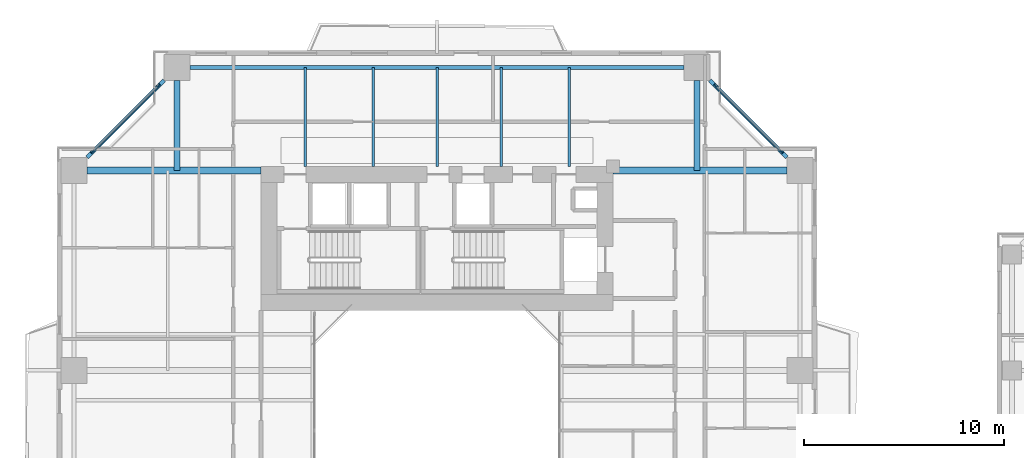
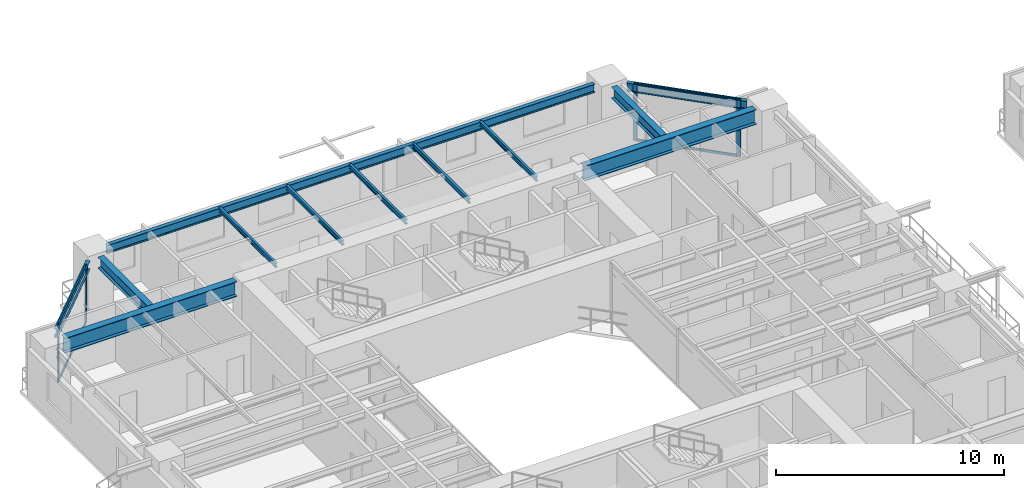
# One storey, part 9 of 24: 12 beams, 8 members, 2 elements without a shape of their own.
"""IFC4 building model written with IfcOpenShell, lengths in metres."""

from ifc_helpers import new_model, si_unit, direction, frame, origin, origin_2d, place, context, subcontext, project, spatial, rectangle, i_section, extrude, source, transform, mapped, material, layer, layer_set, material_profile, profile_set, type_object, element, aggregate, save


model = new_model("IFC4")

# Units and contexts
model_context = context("Model", 3, precision=1e-05, world=origin(), true_north=direction((0.0, 1.0)))
body_context = subcontext(model_context, "Body", "Model", "MODEL_VIEW")
ifc_project = project(units=[si_unit("LENGTHUNIT", "METRE"), si_unit("AREAUNIT", "SQUARE_METRE"), si_unit("VOLUMEUNIT", "CUBIC_METRE"), si_unit("PLANEANGLEUNIT", "RADIAN"), si_unit("MASSUNIT", "GRAM", prefix="KILO"), si_unit("THERMODYNAMICTEMPERATUREUNIT", "KELVIN"), si_unit("POWERUNIT", "WATT")], contexts=[model_context])

# Site, building, storey
site_placement = place(None, origin())
site = spatial("IfcSite", under=ifc_project, at=site_placement, CompositionType="ELEMENT")
building_placement = place(site_placement, origin())
building = spatial("IfcBuilding", under=site, at=building_placement, Name="Qiaomeng Ring Towers", CompositionType="ELEMENT")
storey_placement = place(building_placement, frame((0.0, 0.0, 56.75)))
storey = spatial("IfcBuildingStorey", under=building, at=storey_placement, Name="L15", CompositionType="ELEMENT", Elevation=56.75)

# Beams
ifc_material_1 = material(Name="Steel Q355B", Category="steel")
ifc_material_profile_1 = material_profile(ifc_material_1, i_section(OverallWidth=0.199951171875, OverallDepth=0.449951171875, WebThickness=0.009033203125, FlangeThickness=0.013916015625, FilletRadius=0.01806640625, at=origin_2d()), Name="HN 450x200x9x14")
ifc_profile_set_1 = profile_set([ifc_material_profile_1], Name="Steel Q355B")
beam_type_1 = type_object("IfcBeamType", Name="STR-BM-HN450", PredefinedType="SPANDREL", material=ifc_profile_set_1)
shared_shape_1 = source(origin(), body_context, "Body", "SweptSolid", [
    extrude(i_section(OverallWidth=0.199951171875, OverallDepth=0.449951171875, WebThickness=0.009033203125, FlangeThickness=0.013916015625, FilletRadius=0.01806640625, at=origin_2d()), origin(), (0.0, 0.0, 1.0), 24.7021484375),
])
beam_placement = place(storey_placement, frame((31.35107421875, 41.14990234375, 2.844970703125), z_axis=(-1.0, 0.0, 0.0), x_axis=(0.0, -1.0, 0.0)))
element("IfcBeam", 1, at=beam_placement, inside=storey, type_object=beam_type_1, Name="L15 beam STR-SP-L15-T1-N2-N1", PredefinedType="SPANDREL", context=body_context, shape_type="MappedRepresentation", body=[
    mapped(shared_shape_1, transform((0.0, 0.0, 0.0), x_axis=(1.0, 0.0, 0.0), y_axis=(0.0, 1.0, 0.0), z_axis=(0.0, 0.0, 1.0), scale=1.0)),
])
shared_shape_2 = source(origin(), body_context, "Body", "SweptSolid", [
    extrude(i_section(OverallWidth=0.199951171875, OverallDepth=0.449951171875, WebThickness=0.009033203125, FlangeThickness=0.013916015625, FilletRadius=0.01806640625, at=origin_2d()), origin(), (0.0, 0.0, 1.0), 5.446533203125),
])
for number, where, z_axis, x_axis, name in (
    (2, (36.500732421875, 36.6494140625, 2.844970703125), (-0.707106781187, 0.707106781187, 0.0), (-0.707106781187, -0.707106781187, 0.0), "L15 beam STR-SP-L15-T1-E4-N2"),
    (3, (5.3505859375, 40.500732421875, 2.844970703125), (-0.707106781187, -0.707106781187, 0.0), (0.707106781187, -0.707106781187, 0.0), "L15 beam STR-SP-L15-T1-N1-W4"),
):
    element("IfcBeam", number, at=place(storey_placement, frame(where, z_axis=z_axis, x_axis=x_axis)), inside=storey, type_object=beam_type_1, Name=name, PredefinedType="SPANDREL", context=body_context, shape_type="MappedRepresentation", body=[
        mapped(shared_shape_2, transform((0.0, 0.0, 0.0), x_axis=(1.0, 0.0, 0.0), y_axis=(0.0, 1.0, 0.0), z_axis=(0.0, 0.0, 1.0), scale=1.0)),
    ])
ifc_material_2 = material(Name="Steel Q390GJC", Category="steel")
ifc_material_profile_2 = material_profile(ifc_material_2, i_section(OverallWidth=0.35009765625, OverallDepth=0.800048828125, WebThickness=0.01611328125, FlangeThickness=0.028076171875, at=origin_2d()), Name="WH 800x350x16x28")
ifc_profile_set_2 = profile_set([ifc_material_profile_2], Name="Steel Q390GJC")
beam_type_2 = type_object("IfcBeamType", Name="STR-BM-WH800", PredefinedType="BEAM", material=ifc_profile_set_2)
shared_shape_3 = source(origin(), body_context, "Body", "SweptSolid", [
    extrude(i_section(OverallWidth=0.35009765625, OverallDepth=0.800048828125, WebThickness=0.01611328125, FlangeThickness=0.028076171875, at=origin_2d()), origin(), (0.0, 0.0, 1.0), 8.700927734375),
])
for number, where, z_axis, x_axis, name in (
    (4, (1.4990234375, 36.0, 2.669921875), (1.0, 0.0, 0.0), (0.0, 1.0, 0.0), "L15 beam STR-BM-L15-T1-RAD-W4"),
    (5, (27.800048828125, 36.0, 2.669921875), (1.0, 0.0, 0.0), (0.0, 1.0, 0.0), "L15 beam STR-BM-L15-T1-RAD-E4"),
):
    element("IfcBeam", number, at=place(storey_placement, frame(where, z_axis=z_axis, x_axis=x_axis)), inside=storey, type_object=beam_type_2, Name=name, PredefinedType="BEAM", context=body_context, shape_type="MappedRepresentation", body=[
        mapped(shared_shape_3, transform((0.0, 0.0, 0.0), x_axis=(1.0, 0.0, 0.0), y_axis=(0.0, 1.0, 0.0), z_axis=(0.0, 0.0, 1.0), scale=1.0)),
    ])
ifc_material_profile_3 = material_profile(ifc_material_1, i_section(OverallWidth=0.300048828125, OverallDepth=0.587890625, WebThickness=0.011962890625, FlangeThickness=0.02001953125, FilletRadius=0.028076171875, at=origin_2d()), Name="HM 588x300x12x20")
ifc_profile_set_3 = profile_set([ifc_material_profile_3], Name="Steel Q355B")
beam_type_3 = type_object("IfcBeamType", Name="STR-BM-HM588", PredefinedType="BEAM", material=ifc_profile_set_3)
shared_shape_4 = source(origin(), body_context, "Body", "SweptSolid", [
    extrude(i_section(OverallWidth=0.300048828125, OverallDepth=0.587890625, WebThickness=0.011962890625, FlangeThickness=0.02001953125, FilletRadius=0.028076171875, at=origin_2d()), origin(), (0.0, 0.0, 1.0), 4.5009765625),
])
for number, where, z_axis, x_axis, name in (
    (6, (6.0, 40.5009765625, 2.77587890625), (0.0, -1.0, 0.0), (1.0, 0.0, 0.0), "L15 beam STR-BM-L15-T1-RAD-N1"),
    (7, (32.0, 40.5009765625, 2.77587890625), (0.0, -1.0, 0.0), (1.0, 0.0, 0.0), "L15 beam STR-BM-L15-T1-RAD-N2"),
):
    element("IfcBeam", number, at=place(storey_placement, frame(where, z_axis=z_axis, x_axis=x_axis)), inside=storey, type_object=beam_type_3, Name=name, PredefinedType="BEAM", context=body_context, shape_type="MappedRepresentation", body=[
        mapped(shared_shape_4, transform((0.0, 0.0, 0.0), x_axis=(1.0, 0.0, 0.0), y_axis=(0.0, 1.0, 0.0), z_axis=(0.0, 0.0, 1.0), scale=1.0)),
    ])
ifc_material_profile_4 = material_profile(ifc_material_1, i_section(OverallWidth=0.125, OverallDepth=0.25, WebThickness=0.006103515625, FlangeThickness=0.009033203125, FilletRadius=0.011962890625, at=origin_2d()), Name="HN 250x125x6x9")
ifc_profile_set_4 = profile_set([ifc_material_profile_4], Name="Steel Q355B")
beam_type_4 = type_object("IfcBeamType", Name="STR-BM-HN250", PredefinedType="JOIST", material=ifc_profile_set_4)
shared_shape_5 = source(origin(), body_context, "Body", "SweptSolid", [
    extrude(i_section(OverallWidth=0.125, OverallDepth=0.25, WebThickness=0.006103515625, FlangeThickness=0.009033203125, FilletRadius=0.011962890625, at=origin_2d()), origin(), (0.0, 0.0, 1.0), 4.949951171875),
])
for number, where, z_axis, x_axis, name in (
    (8, (12.39990234375, 36.199951171875, 2.945068359375), (0.0, 1.0, 0.0), (-1.0, 0.0, 0.0), "L15 beam STR-JST-L15-T1N-1"),
    (9, (15.800048828125, 36.199951171875, 2.945068359375), (0.0, 1.0, 0.0), (-1.0, 0.0, 0.0), "L15 beam STR-JST-L15-T1N-2"),
    (10, (19.0, 36.199951171875, 2.945068359375), (0.0, 1.0, 0.0), (-1.0, 0.0, 0.0), "L15 beam STR-JST-L15-T1N-3"),
    (11, (22.199951171875, 36.199951171875, 2.945068359375), (0.0, 1.0, 0.0), (-1.0, 0.0, 0.0), "L15 beam STR-JST-L15-T1N-4"),
    (12, (25.60009765625, 36.199951171875, 2.945068359375), (0.0, 1.0, 0.0), (-1.0, 0.0, 0.0), "L15 beam STR-JST-L15-T1N-5"),
):
    element("IfcBeam", number, at=place(storey_placement, frame(where, z_axis=z_axis, x_axis=x_axis)), inside=storey, type_object=beam_type_4, Name=name, PredefinedType="JOIST", context=body_context, shape_type="MappedRepresentation", body=[
        mapped(shared_shape_5, transform((0.0, 0.0, 0.0), x_axis=(1.0, 0.0, 0.0), y_axis=(0.0, 1.0, 0.0), z_axis=(0.0, 0.0, 1.0), scale=1.0)),
    ])

# Curtain wall, members
ifc_material_3 = material(Name="Fluorocarbon dark-grey aluminium", Category="aluminium")
ifc_layer = layer(ifc_material_3, 0.159912109375, Name="Fluorocarbon dark-grey aluminium")
ifc_layer_set = layer_set([ifc_layer], Name="Fluorocarbon dark-grey aluminium")
curtain_wall_type = type_object("IfcCurtainWallType", Name="ARC-CW-2", PredefinedType="NOTDEFINED", material=ifc_layer_set)
curtain_wall_1_placement = place(storey_placement, origin())
curtain_wall_1 = element("IfcCurtainWall", 13, at=curtain_wall_1_placement, inside=storey, type_object=curtain_wall_type, Name="L15 Curtain Wall CW2", PredefinedType="NOTDEFINED")
ifc_material_profile_5 = material_profile(ifc_material_3, rectangle(XDim=0.070068359375, YDim=0.179931640625, at=origin_2d()), Name="ALU MULL 70x180")
ifc_profile_set_5 = profile_set([ifc_material_profile_5], Name="Fluorocarbon dark-grey aluminium")
member_type_1 = type_object("IfcMemberType", Name="ARC-CWM-160", PredefinedType="MULLION", material=ifc_profile_set_5)
shared_shape_6 = source(origin(), body_context, "Body", "SweptSolid", [
    extrude(rectangle(XDim=0.070068359375, YDim=0.179931640625, at=origin_2d()), origin(), (0.0, 0.0, 1.0), 3.070068359375),
])
member_1_placement = place(storey_placement, frame((36.2353515625, 36.914794921875, 0.0), z_axis=(0.0, 0.0, 1.0), x_axis=(-0.707106781187, -0.707106781187, 0.0)))
member_1 = element("IfcMember", 14, at=member_1_placement, type_object=member_type_1, Name="CW2 mullion 1", PredefinedType="MULLION", context=body_context, shape_type="MappedRepresentation", body=[
    mapped(shared_shape_6, transform((0.0, 0.0, 0.0), x_axis=(1.0, 0.0, 0.0), y_axis=(0.0, 1.0, 0.0), z_axis=(0.0, 0.0, 1.0), scale=1.0)),
])
member_2_placement = place(storey_placement, frame((32.914794921875, 40.2353515625, 0.0), z_axis=(0.0, 0.0, 1.0), x_axis=(-0.707106781187, -0.707106781187, 0.0)))
member_2 = element("IfcMember", 15, at=member_2_placement, type_object=member_type_1, Name="CW2 mullion 2", PredefinedType="MULLION", context=body_context, shape_type="MappedRepresentation", body=[
    mapped(shared_shape_6, transform((0.0, 0.0, 0.0), x_axis=(1.0, 0.0, 0.0), y_axis=(0.0, 1.0, 0.0), z_axis=(0.0, 0.0, 1.0), scale=1.0)),
])

curtain_wall_2_placement = place(storey_placement, origin())
curtain_wall_2 = element("IfcCurtainWall", 16, at=curtain_wall_2_placement, inside=storey, type_object=curtain_wall_type, Name="L15 Curtain Wall CW2", PredefinedType="NOTDEFINED")
member_3_placement = place(storey_placement, frame((5.085205078125, 40.2353515625, 0.0), z_axis=(0.0, 0.0, 1.0), x_axis=(0.707106781187, -0.707106781187, 0.0)))
member_3 = element("IfcMember", 17, at=member_3_placement, type_object=member_type_1, Name="CW2 mullion 1", PredefinedType="MULLION", context=body_context, shape_type="MappedRepresentation", body=[
    mapped(shared_shape_6, transform((0.0, 0.0, 0.0), x_axis=(1.0, 0.0, 0.0), y_axis=(0.0, 1.0, 0.0), z_axis=(0.0, 0.0, 1.0), scale=1.0)),
])
member_4_placement = place(storey_placement, frame((1.7646484375, 36.914794921875, 0.0), z_axis=(0.0, 0.0, 1.0), x_axis=(0.707106781187, -0.707106781187, 0.0)))
member_4 = element("IfcMember", 18, at=member_4_placement, type_object=member_type_1, Name="CW2 mullion 2", PredefinedType="MULLION", context=body_context, shape_type="MappedRepresentation", body=[
    mapped(shared_shape_6, transform((0.0, 0.0, 0.0), x_axis=(1.0, 0.0, 0.0), y_axis=(0.0, 1.0, 0.0), z_axis=(0.0, 0.0, 1.0), scale=1.0)),
])

# Member
ifc_material_profile_6 = material_profile(ifc_material_3, rectangle(XDim=0.06494140625, YDim=0.1298828125, at=origin_2d()), Name="ALU TRAN 65x130")
ifc_profile_set_6 = profile_set([ifc_material_profile_6], Name="Fluorocarbon dark-grey aluminium")
member_type_2 = type_object("IfcMemberType", Name="ARC-CWT-120", PredefinedType="USERDEFINED", material=ifc_profile_set_6)
shared_shape_7 = source(origin(), body_context, "Body", "SweptSolid", [
    extrude(rectangle(XDim=0.06494140625, YDim=0.1298828125, at=origin_2d()), origin(), (0.0, 0.0, 1.0), 4.6259765625),
])
member_5_placement = place(storey_placement, frame((36.21044921875, 36.939453125, 0.032470703125), z_axis=(-0.707106781187, 0.707106781187, 0.0), x_axis=(-0.707106781187, -0.707106781187, 0.0)))
member_5 = element("IfcMember", 19, at=member_5_placement, type_object=member_type_2, Name="CW2 transom 1.1", ObjectType="TRANSOM", PredefinedType="USERDEFINED", context=body_context, shape_type="MappedRepresentation", body=[
    mapped(shared_shape_7, transform((0.0, 0.0, 0.0), x_axis=(1.0, 0.0, 0.0), y_axis=(0.0, 1.0, 0.0), z_axis=(0.0, 0.0, 1.0), scale=1.0)),
])

member_6_placement = place(storey_placement, frame((36.21044921875, 36.939453125, 3.03759765625), z_axis=(-0.707106781187, 0.707106781187, 0.0), x_axis=(-0.707106781187, -0.707106781187, 0.0)))
member_6 = element("IfcMember", 20, at=member_6_placement, type_object=member_type_2, Name="CW2 transom 1.2", ObjectType="TRANSOM", PredefinedType="USERDEFINED", context=body_context, shape_type="MappedRepresentation", body=[
    mapped(shared_shape_7, transform((0.0, 0.0, 0.0), x_axis=(1.0, 0.0, 0.0), y_axis=(0.0, 1.0, 0.0), z_axis=(0.0, 0.0, 1.0), scale=1.0)),
])

aggregate(curtain_wall_1, [member_1, member_2, member_5, member_6])

member_7_placement = place(storey_placement, frame((5.060546875, 40.21044921875, 0.032470703125), z_axis=(-0.707106781187, -0.707106781187, 0.0), x_axis=(0.707106781187, -0.707106781187, 0.0)))
member_7 = element("IfcMember", 21, at=member_7_placement, type_object=member_type_2, Name="CW2 transom 1.1", ObjectType="TRANSOM", PredefinedType="USERDEFINED", context=body_context, shape_type="MappedRepresentation", body=[
    mapped(shared_shape_7, transform((0.0, 0.0, 0.0), x_axis=(1.0, 0.0, 0.0), y_axis=(0.0, 1.0, 0.0), z_axis=(0.0, 0.0, 1.0), scale=1.0)),
])

member_8_placement = place(storey_placement, frame((5.060546875, 40.21044921875, 3.03759765625), z_axis=(-0.707106781187, -0.707106781187, 0.0), x_axis=(0.707106781187, -0.707106781187, 0.0)))
member_8 = element("IfcMember", 22, at=member_8_placement, type_object=member_type_2, Name="CW2 transom 1.2", ObjectType="TRANSOM", PredefinedType="USERDEFINED", context=body_context, shape_type="MappedRepresentation", body=[
    mapped(shared_shape_7, transform((0.0, 0.0, 0.0), x_axis=(1.0, 0.0, 0.0), y_axis=(0.0, 1.0, 0.0), z_axis=(0.0, 0.0, 1.0), scale=1.0)),
])

aggregate(curtain_wall_2, [member_3, member_4, member_7, member_8])

save(model, "model.ifc")
